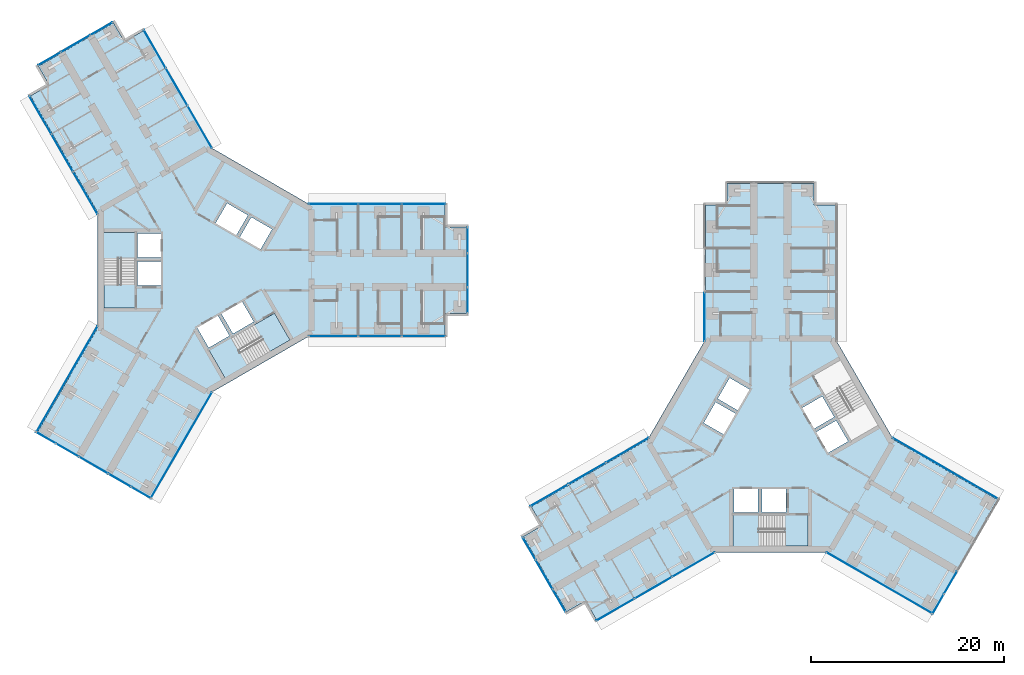
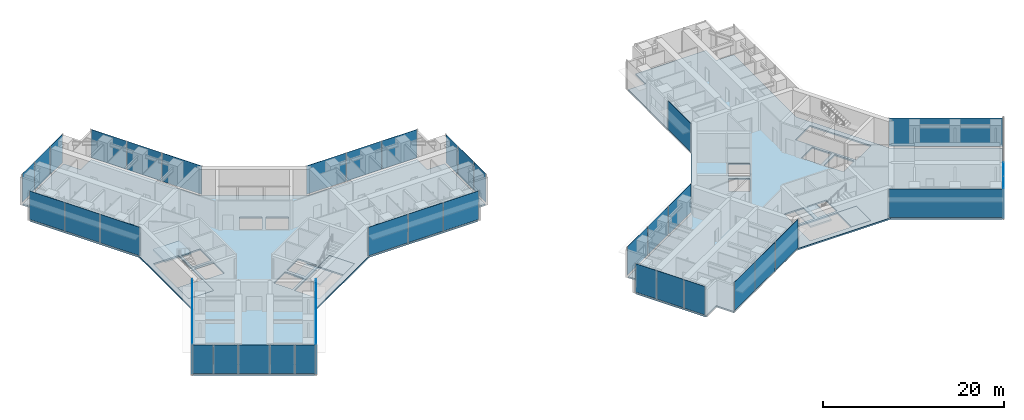
# One storey, part 13 of 23: 39 plates, 8 slabs, 19 elements without a shape of their own.
"""IFC4 building model written with IfcOpenShell, lengths in metres."""

import ifcopenshell
import ifcopenshell.guid

model = None  # the IFC model being written
_history = None  # IfcOwnerHistory: only IFC2X3 demands one
_inside = {}  # id of a spatial element -> (the spatial element, [elements in it])
_under = {}  # id of a project, library or spatial element -> (it, [spatial elements below it])
_declared = {}  # id of a project -> (the project, [libraries it declares])
_typed = {}  # id of a type object -> (the type object, [elements of that type])
_made_of = {}  # id of a material, layer set ... -> (it, [elements and type objects made of it])


def new_model(schema):
    """Start an empty IFC model of exactly this schema.

    Asked for "IFC4X3", IfcOpenShell would pick the latest addendum, in which some entities
    have other attributes; the version numbers below select the first issue.
    IFC2X3 requires an IfcOwnerHistory on every rooted entity: one is made here for all.
    """
    global model, _history
    if schema == "IFC4X3":
        model = ifcopenshell.file(schema_version=(4, 3, 0, 0))
    else:
        model = ifcopenshell.file(schema=schema)
    _inside.clear()
    _under.clear()
    _declared.clear()
    _typed.clear()
    _made_of.clear()
    _history = None
    if model.schema == "IFC2X3":
        org = make("IfcOrganization", Name="unknown")
        user = make(
            "IfcPersonAndOrganization",
            ThePerson=make("IfcPerson", FamilyName="unknown"),
            TheOrganization=org,
        )
        app = make(
            "IfcApplication",
            ApplicationDeveloper=org,
            Version="unknown",
            ApplicationFullName="unknown",
            ApplicationIdentifier="unknown",
        )
        _history = make(
            "IfcOwnerHistory",
            OwningUser=user,
            OwningApplication=app,
            ChangeAction="ADDED",
            CreationDate=0,
        )
    return model


def make(cls, **values):
    """One entity of the class cls with the attributes given. An attribute that is None is left unset."""
    return model.create_entity(
        cls, **{name: value for name, value in values.items() if value is not None}
    )


def rooted(cls, **values):
    """An entity with a GlobalId (a new one), such as an element, a storey or a relation."""
    return make(cls, GlobalId=ifcopenshell.guid.new(), OwnerHistory=_history, **values)


def si_unit(unit_type, name, prefix=None):
    """IfcSIUnit, for example si_unit("LENGTHUNIT", "METRE", prefix="MILLI")."""
    return make("IfcSIUnit", UnitType=unit_type, Prefix=prefix, Name=name)


def assignment(units):
    """IfcUnitAssignment: the units of a project."""
    return None if units is None else make("IfcUnitAssignment", Units=units)


def point(xyz):
    """IfcCartesianPoint."""
    return None if xyz is None else make("IfcCartesianPoint", Coordinates=xyz)


def direction(xyz):
    """IfcDirection."""
    return None if xyz is None else make("IfcDirection", DirectionRatios=xyz)


def frame(location, z_axis=None, x_axis=None):
    """IfcAxis2Placement3D, a coordinate frame: its origin and axes. An axis left out is left unset."""
    return make(
        "IfcAxis2Placement3D",
        Location=point(location),
        Axis=direction(z_axis),
        RefDirection=direction(x_axis),
    )


def frame_2d(location, x_axis=None):
    """IfcAxis2Placement2D, a coordinate frame in the plane: its origin and x axis."""
    return make(
        "IfcAxis2Placement2D", Location=point(location), RefDirection=direction(x_axis)
    )


def origin():
    """The frame at (0, 0, 0) with its axes left unset."""
    return frame((0.0, 0.0, 0.0))


def origin_2d():
    """The frame at (0, 0) in the plane with its x axis left unset."""
    return frame_2d((0.0, 0.0))


def place(relative_to, where):
    """IfcLocalPlacement: puts the frame where relative to a parent placement (None: the world)."""
    return make(
        "IfcLocalPlacement", PlacementRelTo=relative_to, RelativePlacement=where
    )


def context(
    kind, dimensions, precision=None, world=None, true_north=None, identifier=None
):
    """IfcGeometricRepresentationContext, for example the 3D "Model" context."""
    return make(
        "IfcGeometricRepresentationContext",
        ContextIdentifier=identifier,
        ContextType=kind,
        CoordinateSpaceDimension=dimensions,
        Precision=precision,
        WorldCoordinateSystem=world,
        TrueNorth=true_north,
    )


def subcontext(parent, identifier, kind, view, scale=None):
    """IfcGeometricRepresentationSubContext, for example "Body" below "Model"."""
    return make(
        "IfcGeometricRepresentationSubContext",
        ContextIdentifier=identifier,
        ContextType=kind,
        ParentContext=parent,
        TargetScale=scale,
        TargetView=view,
    )


def project(units=None, contexts=None):
    """IfcProject with its units and contexts."""
    return rooted(
        "IfcProject",
        Name="project",
        RepresentationContexts=contexts,
        UnitsInContext=assignment(units),
    )


def spatial(cls, under=None, at=None, **own):
    """A site, building, storey or space (cls), placed at a placement, below another one or the project."""
    s = rooted(cls, ObjectPlacement=at, **own)
    if under is not None:
        _under.setdefault(under.id(), (under, []))[1].append(s)
    return s


def polyline(points):
    """IfcPolyline through the points."""
    return make("IfcPolyline", Points=[point(p) for p in points])


def profile(cls, at=None, kind="AREA", **sizes):
    """A parametric profile (cls). Its sizes go by their IFC names, for example OverallWidth=200.0."""
    return make(cls, ProfileType=kind, Position=at, **sizes)


def rectangle(**sizes):
    """IfcRectangleProfileDef."""
    return profile("IfcRectangleProfileDef", **sizes)


def outline(outer, holes=None, kind="AREA"):
    """IfcArbitraryClosedProfileDef: a profile drawn as a closed curve; with holes, ...WithVoids."""
    if holes is None:
        return make("IfcArbitraryClosedProfileDef", ProfileType=kind, OuterCurve=outer)
    return make(
        "IfcArbitraryProfileDefWithVoids",
        ProfileType=kind,
        OuterCurve=outer,
        InnerCurves=holes,
    )


def extrude(swept, where, along, depth):
    """IfcExtrudedAreaSolid: the profile swept, set in the frame where, extruded along a direction by depth."""
    return make(
        "IfcExtrudedAreaSolid",
        SweptArea=swept,
        Position=where,
        ExtrudedDirection=direction(along),
        Depth=depth,
    )


def shape(context_of_items, identifier, shape_type, items):
    """IfcShapeRepresentation: the items that make up one representation, for example the "Body"."""
    return make(
        "IfcShapeRepresentation",
        ContextOfItems=context_of_items,
        RepresentationIdentifier=identifier,
        RepresentationType=shape_type,
        Items=items,
    )


def material(Name=None, Category=None):
    """IfcMaterial."""
    return make("IfcMaterial", Name=Name, Category=Category)


def layer(
    of_material, thickness, ventilated=None, Name=None, Category=None, Priority=None
):
    """IfcMaterialLayer: one layer of a wall or slab, of a material (None: an air gap)."""
    return make(
        "IfcMaterialLayer",
        Material=of_material,
        LayerThickness=thickness,
        IsVentilated=ventilated,
        Name=Name,
        Category=Category,
        Priority=Priority,
    )


def layer_set(layers, Name=None):
    """IfcMaterialLayerSet."""
    return make("IfcMaterialLayerSet", MaterialLayers=layers, LayerSetName=Name)


def made_of(thing, what):
    """Note that an element or type object is made of a material, layer set ...; save() writes the relation."""
    if what is not None:
        _made_of.setdefault(what.id(), (what, []))[1].append(thing)
    return thing


def type_object(cls, material=None, **own):
    """A type object (cls), such as IfcWallType, which elements share."""
    return made_of(rooted(cls, **own), material)


def element(
    cls,
    number,
    at=None,
    inside=None,
    cuts=None,
    type_object=None,
    material=None,
    context=None,
    identifier="Body",
    shape_type=None,
    held_by="IfcProductDefinitionShape",
    body=None,
    shapes=None,
    **own,
):
    """One element of the class cls, such as IfcWall. Its Tag is "e" and its number.

    at: its placement. inside: the storey or other place that contains it. cuts: it is an
    opening in that element (IfcRelVoidsElement). A single representation is given by context,
    identifier, shape_type and body (its items); several are given by shapes. held_by: the class
    of the entity that holds the representations. save() writes the other relations.
    """
    e = rooted(cls, Tag="e%d" % number, ObjectPlacement=at, **own)
    if body is not None:
        shapes = [shape(context, identifier, shape_type, body)]
    if shapes is not None:
        e.Representation = make(held_by, Representations=shapes)
    if inside is not None:
        _inside.setdefault(inside.id(), (inside, []))[1].append(e)
    if cuts is not None:
        rooted(
            "IfcRelVoidsElement", RelatingBuildingElement=cuts, RelatedOpeningElement=e
        )
    if type_object is not None:
        _typed.setdefault(type_object.id(), (type_object, []))[1].append(e)
    return made_of(e, material)


def aggregate(whole, parts):
    """IfcRelAggregates: a whole, such as a stair, and the parts it consists of."""
    return rooted("IfcRelAggregates", RelatingObject=whole, RelatedObjects=parts)


def save(model, path):
    """Write the relations noted so far, then the file.

    IfcRelAggregates (storeys below a building ...), IfcRelContainedInSpatialStructure (elements
    in a storey), IfcRelDefinesByType, IfcRelAssociatesMaterial and IfcRelDeclares: one each for
    every whole, place, type object, material and project.
    """
    for whole, parts in _under.values():
        aggregate(whole, parts)
    for where, things in _inside.values():
        rooted(
            "IfcRelContainedInSpatialStructure",
            RelatedElements=things,
            RelatingStructure=where,
        )
    for kind, things in _typed.values():
        rooted("IfcRelDefinesByType", RelatedObjects=things, RelatingType=kind)
    for what, things in _made_of.values():
        rooted("IfcRelAssociatesMaterial", RelatedObjects=things, RelatingMaterial=what)
    for by, libraries in _declared.values():
        rooted("IfcRelDeclares", RelatingContext=by, RelatedDefinitions=libraries)
    model.write(path)


model = new_model("IFC4")

# Units and contexts
model_context = context("Model", 3, precision=1e-05, world=origin(), true_north=direction((0.0, 1.0)))
body_context = subcontext(model_context, "Body", "Model", "MODEL_VIEW")
ifc_project = project(units=[si_unit("LENGTHUNIT", "METRE"), si_unit("AREAUNIT", "SQUARE_METRE"), si_unit("VOLUMEUNIT", "CUBIC_METRE"), si_unit("PLANEANGLEUNIT", "RADIAN"), si_unit("MASSUNIT", "GRAM", prefix="KILO")], contexts=[model_context])

# Site, building, storey
site_placement = place(None, origin())
site = spatial("IfcSite", under=ifc_project, at=site_placement, CompositionType="ELEMENT")
building_placement = place(site_placement, origin())
building = spatial("IfcBuilding", under=site, at=building_placement, Name="Upepo Twin Towers", CompositionType="ELEMENT")
storey_placement = place(building_placement, frame((0.0, 0.0, 161.5)))
storey = spatial("IfcBuildingStorey", under=building, at=storey_placement, Name="L39", CompositionType="ELEMENT", Elevation=161.5)

# Curtain wall, plates
ifc_material_1 = material(Name="Aluminium and fritted glass", Category="aluminium")
curtain_wall_type = type_object("IfcCurtainWallType", Name="Tower curtain wall TW2, fritted glass", PredefinedType="NOTDEFINED", material=ifc_material_1)
curtain_wall_1_placement = place(storey_placement, origin())
curtain_wall_1 = element("IfcCurtainWall", 1, at=curtain_wall_1_placement, inside=storey, type_object=curtain_wall_type, Name="T1 L39 wing A flank L curtain wall", PredefinedType="NOTDEFINED")
ifc_material_2 = material(Name="Ceramic-fritted laminated glass", Category="glass")
ifc_layer_1 = layer(ifc_material_2, 0.031982421875)
ifc_layer_set_1 = layer_set([ifc_layer_1], Name="Fritted glass panel, 45 per cent dot frit, 32 mm double glazed")
plate_type_1 = type_object("IfcPlateType", Name="Fritted glass panel, 45 per cent dot frit, 32 mm double glazed", PredefinedType="CURTAIN_PANEL", material=ifc_layer_set_1)
plate_1_placement = place(storey_placement, frame((13.184814453125, 6.85009765625, 0.14990234375), z_axis=(0.0, 0.0, 1.0), x_axis=(1.0, 0.0, 0.0)))
plate_1 = element("IfcPlate", 2, at=plate_1_placement, type_object=plate_type_1, Name="T1 L39 wing A flank L curtain wall panel 1", PredefinedType="CURTAIN_PANEL", context=body_context, shape_type="SweptSolid", body=[
    extrude(rectangle(XDim=5.0654296875, YDim=0.031982421875, at=origin_2d()), origin(), (0.0, 0.0, 1.0), 3.85009765625),
])
plate_2_placement = place(storey_placement, frame((18.0, 6.85009765625, 0.14990234375), z_axis=(0.0, 0.0, 1.0), x_axis=(1.0, 0.0, 0.0)))
plate_2 = element("IfcPlate", 3, at=plate_2_placement, type_object=plate_type_1, Name="T1 L39 wing A flank L curtain wall panel 2", PredefinedType="CURTAIN_PANEL", context=body_context, shape_type="SweptSolid", body=[
    extrude(rectangle(XDim=4.43505859375, YDim=0.031982421875, at=origin_2d()), origin(), (0.0, 0.0, 1.0), 3.85009765625),
])
plate_3_placement = place(storey_placement, frame((22.53369140625, 6.85009765625, 0.14990234375), z_axis=(0.0, 0.0, 1.0), x_axis=(1.0, 0.0, 0.0)))
plate_3 = element("IfcPlate", 4, at=plate_3_placement, type_object=plate_type_1, Name="T1 L39 wing A flank L curtain wall panel 3", PredefinedType="CURTAIN_PANEL", context=body_context, shape_type="SweptSolid", body=[
    extrude(rectangle(XDim=4.50244140625, YDim=0.031982421875, at=origin_2d()), origin(), (0.0, 0.0, 1.0), 3.85009765625),
])
aggregate(curtain_wall_1, [plate_1, plate_2, plate_3])

curtain_wall_2_placement = place(storey_placement, origin())
curtain_wall_2 = element("IfcCurtainWall", 5, at=curtain_wall_2_placement, inside=storey, type_object=curtain_wall_type, Name="T1 L39 wing A flank R curtain wall", PredefinedType="NOTDEFINED")
plate_4_placement = place(storey_placement, frame((22.53369140625, -6.85009765625, 0.14990234375), z_axis=(0.0, 0.0, 1.0), x_axis=(-1.0, 0.0, 0.0)))
plate_4 = element("IfcPlate", 6, at=plate_4_placement, type_object=plate_type_1, Name="T1 L39 wing A flank R curtain wall panel 1", PredefinedType="CURTAIN_PANEL", context=body_context, shape_type="SweptSolid", body=[
    extrude(rectangle(XDim=4.50244140625, YDim=0.031982421875, at=origin_2d()), origin(), (0.0, 0.0, 1.0), 3.85009765625),
])
plate_5_placement = place(storey_placement, frame((18.0, -6.85009765625, 0.14990234375), z_axis=(0.0, 0.0, 1.0), x_axis=(-1.0, 0.0, 0.0)))
plate_5 = element("IfcPlate", 7, at=plate_5_placement, type_object=plate_type_1, Name="T1 L39 wing A flank R curtain wall panel 2", PredefinedType="CURTAIN_PANEL", context=body_context, shape_type="SweptSolid", body=[
    extrude(rectangle(XDim=4.43505859375, YDim=0.031982421875, at=origin_2d()), origin(), (0.0, 0.0, 1.0), 3.85009765625),
])
plate_6_placement = place(storey_placement, frame((13.184814453125, -6.85009765625, 0.14990234375), z_axis=(0.0, 0.0, 1.0), x_axis=(-1.0, 0.0, 0.0)))
plate_6 = element("IfcPlate", 8, at=plate_6_placement, type_object=plate_type_1, Name="T1 L39 wing A flank R curtain wall panel 3", PredefinedType="CURTAIN_PANEL", context=body_context, shape_type="SweptSolid", body=[
    extrude(rectangle(XDim=5.0654296875, YDim=0.031982421875, at=origin_2d()), origin(), (0.0, 0.0, 1.0), 3.85009765625),
])
aggregate(curtain_wall_2, [plate_4, plate_5, plate_6])

# Curtain wall, plate
curtain_wall_3_placement = place(storey_placement, origin())
curtain_wall_3 = element("IfcCurtainWall", 9, at=curtain_wall_3_placement, inside=storey, type_object=curtain_wall_type, Name="T1 L39 wing A nose curtain wall", PredefinedType="NOTDEFINED")
plate_7_placement = place(storey_placement, frame((27.10009765625, 0.0, 0.14990234375), z_axis=(0.0, 0.0, 1.0), x_axis=(0.0, 1.0, 0.0)))
plate_7 = element("IfcPlate", 10, at=plate_7_placement, type_object=plate_type_1, Name="T1 L39 wing A nose curtain wall panel 2", PredefinedType="CURTAIN_PANEL", context=body_context, shape_type="SweptSolid", body=[
    extrude(rectangle(XDim=3.43505859375, YDim=0.031982421875, at=origin_2d()), origin(), (0.0, 0.0, 1.0), 3.85009765625),
])

# Curtain wall, plates
curtain_wall_4_placement = place(storey_placement, origin())
curtain_wall_4 = element("IfcCurtainWall", 11, at=curtain_wall_4_placement, inside=storey, type_object=curtain_wall_type, Name="T1 L39 wing B flank L curtain wall", PredefinedType="NOTDEFINED")
plate_8_placement = place(storey_placement, frame((-12.524658203125, 7.993408203125, 0.14990234375), z_axis=(0.0, 0.0, 1.0), x_axis=(-0.500000010308, 0.866025397833, 0.0)))
plate_8 = element("IfcPlate", 12, at=plate_8_placement, type_object=plate_type_1, Name="T1 L39 wing B flank L curtain wall panel 1", PredefinedType="CURTAIN_PANEL", context=body_context, shape_type="SweptSolid", body=[
    extrude(rectangle(XDim=5.0654296875, YDim=0.031982421875, at=origin_2d()), origin(), (0.0, 0.0, 1.0), 3.85009765625),
])
plate_9_placement = place(storey_placement, frame((-14.932373046875, 12.16357421875, 0.14990234375), z_axis=(0.0, 0.0, 1.0), x_axis=(-0.500000010308, 0.866025397833, 0.0)))
plate_9 = element("IfcPlate", 13, at=plate_9_placement, type_object=plate_type_1, Name="T1 L39 wing B flank L curtain wall panel 2", PredefinedType="CURTAIN_PANEL", context=body_context, shape_type="SweptSolid", body=[
    extrude(rectangle(XDim=4.43505859375, YDim=0.031982421875, at=origin_2d()), origin(), (0.0, 0.0, 1.0), 3.85009765625),
])
plate_10_placement = place(storey_placement, frame((-17.19921875, 16.08984375, 0.14990234375), z_axis=(0.0, 0.0, 1.0), x_axis=(-0.500000010308, 0.866025397833, 0.0)))
plate_10 = element("IfcPlate", 14, at=plate_10_placement, type_object=plate_type_1, Name="T1 L39 wing B flank L curtain wall panel 3", PredefinedType="CURTAIN_PANEL", context=body_context, shape_type="SweptSolid", body=[
    extrude(rectangle(XDim=4.50244140625, YDim=0.031982421875, at=origin_2d()), origin(), (0.0, 0.0, 1.0), 3.85009765625),
])
aggregate(curtain_wall_4, [plate_8, plate_9, plate_10])

curtain_wall_5_placement = place(storey_placement, origin())
curtain_wall_5 = element("IfcCurtainWall", 15, at=curtain_wall_5_placement, inside=storey, type_object=curtain_wall_type, Name="T1 L39 wing B flank R curtain wall", PredefinedType="NOTDEFINED")
plate_11_placement = place(storey_placement, frame((-5.334716796875, 22.939697265625, 0.14990234375), z_axis=(0.0, 0.0, 1.0), x_axis=(0.500000010308, -0.866025397833, 0.0)))
plate_11 = element("IfcPlate", 16, at=plate_11_placement, type_object=plate_type_1, Name="T1 L39 wing B flank R curtain wall panel 1", PredefinedType="CURTAIN_PANEL", context=body_context, shape_type="SweptSolid", body=[
    extrude(rectangle(XDim=4.50244140625, YDim=0.031982421875, at=origin_2d()), origin(), (0.0, 0.0, 1.0), 3.85009765625),
])
plate_12_placement = place(storey_placement, frame((-3.067626953125, 19.013427734375, 0.14990234375), z_axis=(0.0, 0.0, 1.0), x_axis=(0.500000010308, -0.866025397833, 0.0)))
plate_12 = element("IfcPlate", 17, at=plate_12_placement, type_object=plate_type_1, Name="T1 L39 wing B flank R curtain wall panel 2", PredefinedType="CURTAIN_PANEL", context=body_context, shape_type="SweptSolid", body=[
    extrude(rectangle(XDim=4.43505859375, YDim=0.031982421875, at=origin_2d()), origin(), (0.0, 0.0, 1.0), 3.85009765625),
])
plate_13_placement = place(storey_placement, frame((-0.66015625, 14.84326171875, 0.14990234375), z_axis=(0.0, 0.0, 1.0), x_axis=(0.500000010308, -0.866025397833, 0.0)))
plate_13 = element("IfcPlate", 18, at=plate_13_placement, type_object=plate_type_1, Name="T1 L39 wing B flank R curtain wall panel 3", PredefinedType="CURTAIN_PANEL", context=body_context, shape_type="SweptSolid", body=[
    extrude(rectangle(XDim=5.0654296875, YDim=0.031982421875, at=origin_2d()), origin(), (0.0, 0.0, 1.0), 3.85009765625),
])
aggregate(curtain_wall_5, [plate_11, plate_12, plate_13])

# Curtain wall, plate
curtain_wall_6_placement = place(storey_placement, origin())
curtain_wall_6 = element("IfcCurtainWall", 19, at=curtain_wall_6_placement, inside=storey, type_object=curtain_wall_type, Name="T1 L39 wing B nose curtain wall", PredefinedType="NOTDEFINED")
plate_14_placement = place(storey_placement, frame((-13.550048828125, 23.46923828125, 0.14990234375), z_axis=(0.0, 0.0, 1.0), x_axis=(-0.866025386174, -0.500000030502, 0.0)))
plate_14 = element("IfcPlate", 20, at=plate_14_placement, type_object=plate_type_1, Name="T1 L39 wing B nose curtain wall panel 2", PredefinedType="CURTAIN_PANEL", context=body_context, shape_type="SweptSolid", body=[
    extrude(rectangle(XDim=3.43505859375, YDim=0.031982421875, at=origin_2d()), origin(), (0.0, 0.0, 1.0), 3.85009765625),
])

curtain_wall_7_placement = place(storey_placement, origin())
curtain_wall_7 = element("IfcCurtainWall", 21, at=curtain_wall_7_placement, inside=storey, type_object=curtain_wall_type, Name="T1 L39 wing C flank L curtain wall", PredefinedType="NOTDEFINED")
plate_15_placement = place(storey_placement, frame((-2.552001953125, -18.1201171875, 0.14990234375), z_axis=(0.0, 0.0, 1.0), x_axis=(-0.50000000792, -0.866025399212, 0.0)))
plate_15 = element("IfcPlate", 22, at=plate_15_placement, type_object=plate_type_1, Name="T1 L39 wing C flank L curtain wall panel 1", PredefinedType="CURTAIN_PANEL", context=body_context, shape_type="SweptSolid", body=[
    extrude(rectangle(XDim=12.6328125, YDim=0.031982421875, at=origin_2d()), origin(), (0.0, 0.0, 1.0), 3.85009765625),
])
aggregate(curtain_wall_7, [plate_15])

curtain_wall_8_placement = place(storey_placement, origin())
curtain_wall_8 = element("IfcCurtainWall", 23, at=curtain_wall_8_placement, inside=storey, type_object=curtain_wall_type, Name="T1 L39 wing C flank R curtain wall", PredefinedType="NOTDEFINED")
plate_16_placement = place(storey_placement, frame((-14.41650390625, -11.270263671875, 0.14990234375), z_axis=(0.0, 0.0, 1.0), x_axis=(0.50000000792, 0.866025399212, 0.0)))
plate_16 = element("IfcPlate", 24, at=plate_16_placement, type_object=plate_type_1, Name="T1 L39 wing C flank R curtain wall panel 1", PredefinedType="CURTAIN_PANEL", context=body_context, shape_type="SweptSolid", body=[
    extrude(rectangle(XDim=12.6328125, YDim=0.031982421875, at=origin_2d()), origin(), (0.0, 0.0, 1.0), 3.85009765625),
])
aggregate(curtain_wall_8, [plate_16])

# Curtain wall, plates
curtain_wall_9_placement = place(storey_placement, origin())
curtain_wall_9 = element("IfcCurtainWall", 25, at=curtain_wall_9_placement, inside=storey, type_object=curtain_wall_type, Name="T1 L39 wing C nose curtain wall", PredefinedType="NOTDEFINED")
plate_17_placement = place(storey_placement, frame((-14.38134765625, -18.6591796875, 0.14990234375), z_axis=(0.0, 0.0, 1.0), x_axis=(0.866025419745, -0.499999972355, 0.0)))
plate_17 = element("IfcPlate", 26, at=plate_17_placement, type_object=plate_type_1, Name="T1 L39 wing C nose curtain wall panel 2", PredefinedType="CURTAIN_PANEL", context=body_context, shape_type="SweptSolid", body=[
    extrude(rectangle(XDim=2.68505859375, YDim=0.031982421875, at=origin_2d()), origin(), (0.0, 0.0, 1.0), 3.85009765625),
])
plate_18_placement = place(storey_placement, frame((-11.675048828125, -20.2216796875, 0.14990234375), z_axis=(0.0, 0.0, 1.0), x_axis=(0.866025419745, -0.499999972355, 0.0)))
plate_18 = element("IfcPlate", 27, at=plate_18_placement, type_object=plate_type_1, Name="T1 L39 wing C nose curtain wall panel 3", PredefinedType="CURTAIN_PANEL", context=body_context, shape_type="SweptSolid", body=[
    extrude(rectangle(XDim=3.43505859375, YDim=0.031982421875, at=origin_2d()), origin(), (0.0, 0.0, 1.0), 3.85009765625),
])
plate_19_placement = place(storey_placement, frame((-8.96875, -21.7841796875, 0.14990234375), z_axis=(0.0, 0.0, 1.0), x_axis=(0.866025419745, -0.499999972355, 0.0)))
plate_19 = element("IfcPlate", 28, at=plate_19_placement, type_object=plate_type_1, Name="T1 L39 wing C nose curtain wall panel 4", PredefinedType="CURTAIN_PANEL", context=body_context, shape_type="SweptSolid", body=[
    extrude(rectangle(XDim=2.68505859375, YDim=0.031982421875, at=origin_2d()), origin(), (0.0, 0.0, 1.0), 3.85009765625),
])

# Curtain wall, plate
curtain_wall_10_placement = place(storey_placement, origin())
curtain_wall_10 = element("IfcCurtainWall", 29, at=curtain_wall_10_placement, inside=storey, type_object=curtain_wall_type, Name="T2 L39 wing A flank L curtain wall", PredefinedType="NOTDEFINED")
plate_20_placement = place(storey_placement, frame((51.64990234375, -4.83154296875, 0.14990234375), z_axis=(0.0, 0.0, 1.0), x_axis=(0.0, 1.0, 0.0)))
plate_20 = element("IfcPlate", 30, at=plate_20_placement, type_object=plate_type_1, Name="T2 L39 wing A flank L curtain wall panel 1", PredefinedType="CURTAIN_PANEL", context=body_context, shape_type="SweptSolid", body=[
    extrude(rectangle(XDim=5.032958984375, YDim=0.031982421875, at=origin_2d()), origin(), (0.0, 0.0, 1.0), 3.85009765625),
])
aggregate(curtain_wall_10, [plate_20])

# Curtain wall, plates
curtain_wall_11_placement = place(storey_placement, origin())
curtain_wall_11 = element("IfcCurtainWall", 31, at=curtain_wall_11_placement, inside=storey, type_object=curtain_wall_type, Name="T2 L39 wing B flank L curtain wall", PredefinedType="NOTDEFINED")
plate_21_placement = place(storey_placement, frame((50.506591796875, -30.524658203125, 0.14990234375), z_axis=(0.0, 0.0, 1.0), x_axis=(-0.866025397833, -0.500000010308, 0.0)))
plate_21 = element("IfcPlate", 32, at=plate_21_placement, type_object=plate_type_1, Name="T2 L39 wing B flank L curtain wall panel 1", PredefinedType="CURTAIN_PANEL", context=body_context, shape_type="SweptSolid", body=[
    extrude(rectangle(XDim=5.0654296875, YDim=0.031982421875, at=origin_2d()), origin(), (0.0, 0.0, 1.0), 3.85009765625),
])
plate_22_placement = place(storey_placement, frame((46.33642578125, -32.932373046875, 0.14990234375), z_axis=(0.0, 0.0, 1.0), x_axis=(-0.866025397833, -0.500000010308, 0.0)))
plate_22 = element("IfcPlate", 33, at=plate_22_placement, type_object=plate_type_1, Name="T2 L39 wing B flank L curtain wall panel 2", PredefinedType="CURTAIN_PANEL", context=body_context, shape_type="SweptSolid", body=[
    extrude(rectangle(XDim=4.43505859375, YDim=0.031982421875, at=origin_2d()), origin(), (0.0, 0.0, 1.0), 3.85009765625),
])
plate_23_placement = place(storey_placement, frame((42.41015625, -35.19921875, 0.14990234375), z_axis=(0.0, 0.0, 1.0), x_axis=(-0.866025397833, -0.500000010308, 0.0)))
plate_23 = element("IfcPlate", 34, at=plate_23_placement, type_object=plate_type_1, Name="T2 L39 wing B flank L curtain wall panel 3", PredefinedType="CURTAIN_PANEL", context=body_context, shape_type="SweptSolid", body=[
    extrude(rectangle(XDim=4.50244140625, YDim=0.031982421875, at=origin_2d()), origin(), (0.0, 0.0, 1.0), 3.85009765625),
])
aggregate(curtain_wall_11, [plate_21, plate_22, plate_23])

curtain_wall_12_placement = place(storey_placement, origin())
curtain_wall_12 = element("IfcCurtainWall", 35, at=curtain_wall_12_placement, inside=storey, type_object=curtain_wall_type, Name="T2 L39 wing B flank R curtain wall", PredefinedType="NOTDEFINED")
plate_24_placement = place(storey_placement, frame((35.560302734375, -23.334716796875, 0.14990234375), z_axis=(0.0, 0.0, 1.0), x_axis=(0.866025397833, 0.500000010308, 0.0)))
plate_24 = element("IfcPlate", 36, at=plate_24_placement, type_object=plate_type_1, Name="T2 L39 wing B flank R curtain wall panel 1", PredefinedType="CURTAIN_PANEL", context=body_context, shape_type="SweptSolid", body=[
    extrude(rectangle(XDim=4.50244140625, YDim=0.031982421875, at=origin_2d()), origin(), (0.0, 0.0, 1.0), 3.85009765625),
])
plate_25_placement = place(storey_placement, frame((39.486572265625, -21.067626953125, 0.14990234375), z_axis=(0.0, 0.0, 1.0), x_axis=(0.866025397833, 0.500000010308, 0.0)))
plate_25 = element("IfcPlate", 37, at=plate_25_placement, type_object=plate_type_1, Name="T2 L39 wing B flank R curtain wall panel 2", PredefinedType="CURTAIN_PANEL", context=body_context, shape_type="SweptSolid", body=[
    extrude(rectangle(XDim=4.43505859375, YDim=0.031982421875, at=origin_2d()), origin(), (0.0, 0.0, 1.0), 3.85009765625),
])
plate_26_placement = place(storey_placement, frame((43.65673828125, -18.66015625, 0.14990234375), z_axis=(0.0, 0.0, 1.0), x_axis=(0.866025397833, 0.500000010308, 0.0)))
plate_26 = element("IfcPlate", 38, at=plate_26_placement, type_object=plate_type_1, Name="T2 L39 wing B flank R curtain wall panel 3", PredefinedType="CURTAIN_PANEL", context=body_context, shape_type="SweptSolid", body=[
    extrude(rectangle(XDim=5.0654296875, YDim=0.031982421875, at=origin_2d()), origin(), (0.0, 0.0, 1.0), 3.85009765625),
])
aggregate(curtain_wall_12, [plate_24, plate_25, plate_26])

# Curtain wall, plate
curtain_wall_13_placement = place(storey_placement, origin())
curtain_wall_13 = element("IfcCurtainWall", 39, at=curtain_wall_13_placement, inside=storey, type_object=curtain_wall_type, Name="T2 L39 wing B nose curtain wall", PredefinedType="NOTDEFINED")
plate_27_placement = place(storey_placement, frame((35.03076171875, -31.550048828125, 0.14990234375), z_axis=(0.0, 0.0, 1.0), x_axis=(0.500000030502, -0.866025386174, 0.0)))
plate_27 = element("IfcPlate", 40, at=plate_27_placement, type_object=plate_type_1, Name="T2 L39 wing B nose curtain wall panel 2", PredefinedType="CURTAIN_PANEL", context=body_context, shape_type="SweptSolid", body=[
    extrude(rectangle(XDim=3.43505859375, YDim=0.031982421875, at=origin_2d()), origin(), (0.0, 0.0, 1.0), 3.85009765625),
])

curtain_wall_14_placement = place(storey_placement, origin())
curtain_wall_14 = element("IfcCurtainWall", 41, at=curtain_wall_14_placement, inside=storey, type_object=curtain_wall_type, Name="T2 L39 wing C flank L curtain wall", PredefinedType="NOTDEFINED")
plate_28_placement = place(storey_placement, frame((76.6201171875, -20.552001953125, 0.14990234375), z_axis=(0.0, 0.0, 1.0), x_axis=(0.866025399212, -0.50000000792, 0.0)))
plate_28 = element("IfcPlate", 42, at=plate_28_placement, type_object=plate_type_1, Name="T2 L39 wing C flank L curtain wall panel 1", PredefinedType="CURTAIN_PANEL", context=body_context, shape_type="SweptSolid", body=[
    extrude(rectangle(XDim=12.6328125, YDim=0.031982421875, at=origin_2d()), origin(), (0.0, 0.0, 1.0), 3.85009765625),
])
aggregate(curtain_wall_14, [plate_28])

curtain_wall_15_placement = place(storey_placement, origin())
curtain_wall_15 = element("IfcCurtainWall", 43, at=curtain_wall_15_placement, inside=storey, type_object=curtain_wall_type, Name="T2 L39 wing C flank R curtain wall", PredefinedType="NOTDEFINED")
plate_29_placement = place(storey_placement, frame((69.770263671875, -32.41650390625, 0.14990234375), z_axis=(0.0, 0.0, 1.0), x_axis=(-0.866025399212, 0.50000000792, 0.0)))
plate_29 = element("IfcPlate", 44, at=plate_29_placement, type_object=plate_type_1, Name="T2 L39 wing C flank R curtain wall panel 1", PredefinedType="CURTAIN_PANEL", context=body_context, shape_type="SweptSolid", body=[
    extrude(rectangle(XDim=12.6328125, YDim=0.031982421875, at=origin_2d()), origin(), (0.0, 0.0, 1.0), 3.85009765625),
])
aggregate(curtain_wall_15, [plate_29])

curtain_wall_16_placement = place(storey_placement, origin())
curtain_wall_16 = element("IfcCurtainWall", 45, at=curtain_wall_16_placement, inside=storey, type_object=curtain_wall_type, Name="T2 L39 wing C nose curtain wall", PredefinedType="NOTDEFINED")
plate_30_placement = place(storey_placement, frame((77.1591796875, -32.38134765625, 0.14990234375), z_axis=(0.0, 0.0, 1.0), x_axis=(0.499999972355, 0.866025419745, 0.0)))
plate_30 = element("IfcPlate", 46, at=plate_30_placement, type_object=plate_type_1, Name="T2 L39 wing C nose curtain wall panel 2", PredefinedType="CURTAIN_PANEL", context=body_context, shape_type="SweptSolid", body=[
    extrude(rectangle(XDim=2.68505859375, YDim=0.031982421875, at=origin_2d()), origin(), (0.0, 0.0, 1.0), 3.85009765625),
])

# Plate
ifc_material_3 = material(Name="Clear laminated glass in opening sash", Category="glass")
ifc_layer_2 = layer(ifc_material_3, 0.031982421875)
ifc_layer_set_2 = layer_set([ifc_layer_2], Name="Operable glass panel, 32 mm double glazed")
plate_type_2 = type_object("IfcPlateType", Name="Operable glass panel, 32 mm double glazed", PredefinedType="CURTAIN_PANEL", material=ifc_layer_set_2)
plate_31_placement = place(storey_placement, frame((27.10009765625, -3.108642578125, 0.14990234375), z_axis=(0.0, 0.0, 1.0), x_axis=(0.0, 1.0, 0.0)))
plate_31 = element("IfcPlate", 47, at=plate_31_placement, type_object=plate_type_2, Name="T1 L39 wing A nose curtain wall panel 1", PredefinedType="CURTAIN_PANEL", context=body_context, shape_type="SweptSolid", body=[
    extrude(rectangle(XDim=2.652587890625, YDim=0.031982421875, at=origin_2d()), origin(), (0.0, 0.0, 1.0), 3.85009765625),
])

plate_32_placement = place(storey_placement, frame((27.10009765625, 3.108642578125, 0.14990234375), z_axis=(0.0, 0.0, 1.0), x_axis=(0.0, 1.0, 0.0)))
plate_32 = element("IfcPlate", 48, at=plate_32_placement, type_object=plate_type_2, Name="T1 L39 wing A nose curtain wall panel 3", PredefinedType="CURTAIN_PANEL", context=body_context, shape_type="SweptSolid", body=[
    extrude(rectangle(XDim=2.652587890625, YDim=0.031982421875, at=origin_2d()), origin(), (0.0, 0.0, 1.0), 3.85009765625),
])

aggregate(curtain_wall_3, [plate_31, plate_7, plate_32])

plate_33_placement = place(storey_placement, frame((-10.857666015625, 25.023681640625, 0.14990234375), z_axis=(0.0, 0.0, 1.0), x_axis=(-0.866025386174, -0.500000030502, 0.0)))
plate_33 = element("IfcPlate", 49, at=plate_33_placement, type_object=plate_type_2, Name="T1 L39 wing B nose curtain wall panel 1", PredefinedType="CURTAIN_PANEL", context=body_context, shape_type="SweptSolid", body=[
    extrude(rectangle(XDim=2.652587890625, YDim=0.031982421875, at=origin_2d()), origin(), (0.0, 0.0, 1.0), 3.85009765625),
])

plate_34_placement = place(storey_placement, frame((-16.2421875, 21.914794921875, 0.14990234375), z_axis=(0.0, 0.0, 1.0), x_axis=(-0.866025386174, -0.500000030502, 0.0)))
plate_34 = element("IfcPlate", 50, at=plate_34_placement, type_object=plate_type_2, Name="T1 L39 wing B nose curtain wall panel 3", PredefinedType="CURTAIN_PANEL", context=body_context, shape_type="SweptSolid", body=[
    extrude(rectangle(XDim=2.652587890625, YDim=0.031982421875, at=origin_2d()), origin(), (0.0, 0.0, 1.0), 3.85009765625),
])

aggregate(curtain_wall_6, [plate_33, plate_14, plate_34])

plate_35_placement = place(storey_placement, frame((-16.618896484375, -17.367431640625, 0.14990234375), z_axis=(0.0, 0.0, 1.0), x_axis=(0.866025419745, -0.499999972355, 0.0)))
plate_35 = element("IfcPlate", 51, at=plate_35_placement, type_object=plate_type_2, Name="T1 L39 wing C nose curtain wall panel 1", PredefinedType="CURTAIN_PANEL", context=body_context, shape_type="SweptSolid", body=[
    extrude(rectangle(XDim=2.3525390625, YDim=0.031982421875, at=origin_2d()), origin(), (0.0, 0.0, 1.0), 3.85009765625),
])

plate_36_placement = place(storey_placement, frame((-6.73095703125, -23.076171875, 0.14990234375), z_axis=(0.0, 0.0, 1.0), x_axis=(0.866025419745, -0.499999972355, 0.0)))
plate_36 = element("IfcPlate", 52, at=plate_36_placement, type_object=plate_type_2, Name="T1 L39 wing C nose curtain wall panel 5", PredefinedType="CURTAIN_PANEL", context=body_context, shape_type="SweptSolid", body=[
    extrude(rectangle(XDim=2.3525390625, YDim=0.031982421875, at=origin_2d()), origin(), (0.0, 0.0, 1.0), 3.85009765625),
])

aggregate(curtain_wall_9, [plate_35, plate_17, plate_18, plate_19, plate_36])

plate_37_placement = place(storey_placement, frame((33.476318359375, -28.857666015625, 0.14990234375), z_axis=(0.0, 0.0, 1.0), x_axis=(0.500000030502, -0.866025386174, 0.0)))
plate_37 = element("IfcPlate", 53, at=plate_37_placement, type_object=plate_type_2, Name="T2 L39 wing B nose curtain wall panel 1", PredefinedType="CURTAIN_PANEL", context=body_context, shape_type="SweptSolid", body=[
    extrude(rectangle(XDim=2.652587890625, YDim=0.031982421875, at=origin_2d()), origin(), (0.0, 0.0, 1.0), 3.85009765625),
])

plate_38_placement = place(storey_placement, frame((36.585205078125, -34.2421875, 0.14990234375), z_axis=(0.0, 0.0, 1.0), x_axis=(0.500000030502, -0.866025386174, 0.0)))
plate_38 = element("IfcPlate", 54, at=plate_38_placement, type_object=plate_type_2, Name="T2 L39 wing B nose curtain wall panel 3", PredefinedType="CURTAIN_PANEL", context=body_context, shape_type="SweptSolid", body=[
    extrude(rectangle(XDim=2.652587890625, YDim=0.031982421875, at=origin_2d()), origin(), (0.0, 0.0, 1.0), 3.85009765625),
])

aggregate(curtain_wall_13, [plate_37, plate_27, plate_38])

plate_39_placement = place(storey_placement, frame((75.867431640625, -34.618896484375, 0.14990234375), z_axis=(0.0, 0.0, 1.0), x_axis=(0.499999972355, 0.866025419745, 0.0)))
plate_39 = element("IfcPlate", 55, at=plate_39_placement, type_object=plate_type_2, Name="T2 L39 wing C nose curtain wall panel 1", PredefinedType="CURTAIN_PANEL", context=body_context, shape_type="SweptSolid", body=[
    extrude(rectangle(XDim=2.3525390625, YDim=0.031982421875, at=origin_2d()), origin(), (0.0, 0.0, 1.0), 3.85009765625),
])

aggregate(curtain_wall_16, [plate_39, plate_30])

# Stair, slabs
ifc_material_4 = material(Name="Concrete C40/50", Category="concrete")
stair_type = type_object("IfcStairType", Name="Core stair, two flights", PredefinedType="HALF_TURN_STAIR", material=ifc_material_4)
stair_1_placement = place(storey_placement, origin())
stair_1 = element("IfcStair", 56, at=stair_1_placement, inside=storey, type_object=stair_type, Name="T1 stair S1 L39", PredefinedType="HALF_TURN_STAIR")
ifc_material_5 = material(Name="Concrete C40/50", Category="concrete")
ifc_layer_3 = layer(ifc_material_5, 0.199951171875)
ifc_layer_set_3 = layer_set([ifc_layer_3], Name="Concrete C40/50")
slab_type_1 = type_object("IfcSlabType", Name="Stair landing 200 RC", PredefinedType="LANDING", material=ifc_layer_set_3)
slab_1_placement = place(storey_placement, frame((0.0, 0.0, -0.199951171875)))
slab_1 = element("IfcSlab", 57, at=slab_1_placement, type_object=slab_type_1, Name="Stair S1 landing 1", PredefinedType="LANDING", context=body_context, shape_type="SweptSolid", body=[
    extrude(outline(polyline([(-7.39990234375, -1.419921875), (-10.6083984375, -1.419921875), (-10.6083984375, -3.89990234375), (-7.39990234375, -3.89990234375), (-7.39990234375, -1.419921875)])), origin(), (0.0, 0.0, 1.0), 0.199951171875),
])
slab_2_placement = place(storey_placement, frame((0.0, 0.0, 1.800048828125)))
slab_2 = element("IfcSlab", 58, at=slab_2_placement, type_object=slab_type_1, Name="Stair S1 landing 2", PredefinedType="LANDING", context=body_context, shape_type="SweptSolid", body=[
    extrude(outline(polyline([(-7.300048828125, 3.89990234375), (-10.708251953125, 3.89990234375), (-10.708251953125, 1.179931640625), (-7.300048828125, 1.179931640625), (-7.300048828125, 3.89990234375)])), origin(), (0.0, 0.0, 1.0), 0.199951171875),
])
aggregate(stair_1, [slab_1, slab_2])

stair_2_placement = place(storey_placement, origin())
stair_2 = element("IfcStair", 59, at=stair_2_placement, inside=storey, type_object=stair_type, Name="T1 stair S2 L39", PredefinedType="HALF_TURN_STAIR")
slab_3_placement = place(storey_placement, frame((0.0, 0.0, -0.199951171875)))
slab_3 = element("IfcSlab", 60, at=slab_3_placement, type_object=slab_type_1, Name="Stair S2 landing 1", PredefinedType="LANDING", context=body_context, shape_type="SweptSolid", body=[
    extrude(outline(polyline([(4.9296875, -5.698486328125), (6.533935546875, -8.47705078125), (8.681640625, -7.237060546875), (7.077392578125, -4.45849609375), (4.9296875, -5.698486328125)])), origin(), (0.0, 0.0, 1.0), 0.199951171875),
])
slab_4_placement = place(storey_placement, frame((0.0, 0.0, 1.800048828125)))
slab_4 = element("IfcSlab", 61, at=slab_4_placement, type_object=slab_type_1, Name="Stair S2 landing 2", PredefinedType="LANDING", context=body_context, shape_type="SweptSolid", body=[
    extrude(outline(polyline([(0.2724609375, -8.27197265625), (1.9765625, -11.2236328125), (4.332275390625, -9.86376953125), (2.628173828125, -6.911865234375), (0.2724609375, -8.27197265625)])), origin(), (0.0, 0.0, 1.0), 0.199951171875),
])
aggregate(stair_2, [slab_3, slab_4])

stair_3_placement = place(storey_placement, origin())
stair_3 = element("IfcStair", 62, at=stair_3_placement, inside=storey, type_object=stair_type, Name="T2 stair S1 L39", PredefinedType="HALF_TURN_STAIR")
slab_5_placement = place(storey_placement, frame((0.0, 0.0, -0.199951171875)))
slab_5 = element("IfcSlab", 63, at=slab_5_placement, type_object=slab_type_1, Name="Stair S1 landing 1", PredefinedType="LANDING", context=body_context, shape_type="SweptSolid", body=[
    extrude(outline(polyline([(59.919921875, -25.39990234375), (59.919921875, -28.6083984375), (62.39990234375, -28.6083984375), (62.39990234375, -25.39990234375), (59.919921875, -25.39990234375)])), origin(), (0.0, 0.0, 1.0), 0.199951171875),
])
slab_6_placement = place(storey_placement, frame((0.0, 0.0, 1.800048828125)))
slab_6 = element("IfcSlab", 64, at=slab_6_placement, type_object=slab_type_1, Name="Stair S1 landing 2", PredefinedType="LANDING", context=body_context, shape_type="SweptSolid", body=[
    extrude(outline(polyline([(54.60009765625, -25.300048828125), (54.60009765625, -28.708251953125), (57.320068359375, -28.708251953125), (57.320068359375, -25.300048828125), (54.60009765625, -25.300048828125)])), origin(), (0.0, 0.0, 1.0), 0.199951171875),
])
aggregate(stair_3, [slab_5, slab_6])

# Slabs
ifc_material_6 = material(Name="Concrete C40/50", Category="concrete")
ifc_layer_4 = layer(ifc_material_6, 0.199951171875)
ifc_layer_set_4 = layer_set([ifc_layer_4], Name="Concrete C40/50")
slab_type_2 = type_object("IfcSlabType", Name="Tower floor slab 200 RC", PredefinedType="FLOOR", material=ifc_layer_set_4)
slab_7_placement = place(storey_placement, frame((0.0, 0.0, -0.199951171875)))
element("IfcSlab", 65, at=slab_7_placement, inside=storey, type_object=slab_type_2, Name="T1 L39 floor slab", PredefinedType="FLOOR", context=body_context, shape_type="SweptSolid", body=[
    extrude(outline(polyline([(-17.470703125, -16.760009765625), (-11.25830078125, -6.0), (-11.25830078125, 6.0), (-18.220703125, 18.05908203125), (-16.272216796875, 19.18408203125), (-17.397216796875, 21.132568359375), (-9.602783203125, 25.632568359375), (-8.477783203125, 23.68408203125), (-6.529296875, 24.80908203125), (0.43310546875, 12.75), (10.825439453125, 6.75), (24.75, 6.75), (24.75, 4.5), (27.0, 4.5), (27.0, -4.5), (24.75, -4.5), (24.75, -6.75), (10.825439453125, -6.75), (0.43310546875, -12.75), (-5.779296875, -23.510009765625), (-17.470703125, -16.760009765625)]), holes=[polyline([(5.640869140625, 2.17041015625), (6.8408203125, 4.248779296875), (4.67578125, 5.498779296875), (3.475830078125, 3.42041015625), (5.640869140625, 2.17041015625)]), polyline([(3.12939453125, 3.620361328125), (4.329345703125, 5.69873046875), (2.164306640625, 6.94873046875), (0.96435546875, 4.870361328125), (3.12939453125, 3.620361328125)]), polyline([(-4.699951171875, 3.800048828125), (-7.10009765625, 3.800048828125), (-7.10009765625, 1.300048828125), (-4.699951171875, 1.300048828125), (-4.699951171875, 3.800048828125)]), polyline([(-4.699951171875, 0.89990234375), (-7.10009765625, 0.89990234375), (-7.10009765625, -1.60009765625), (-4.699951171875, -1.60009765625), (-4.699951171875, 0.89990234375)]), polyline([(-7.39990234375, 3.89990234375), (-10.6083984375, 3.89990234375), (-10.6083984375, -3.89990234375), (-7.39990234375, -3.89990234375), (-7.39990234375, 3.89990234375)]), polyline([(-0.94091796875, -5.97021484375), (0.259033203125, -8.048828125), (2.424072265625, -6.798828125), (1.22412109375, -4.72021484375), (-0.94091796875, -5.97021484375)]), polyline([(1.570556640625, -4.520263671875), (2.7705078125, -6.598876953125), (4.935546875, -5.348876953125), (3.735595703125, -3.270263671875), (1.570556640625, -4.520263671875)]), polyline([(0.322509765625, -8.358642578125), (1.9267578125, -11.136962890625), (8.681640625, -7.237060546875), (7.077392578125, -4.45849609375), (0.322509765625, -8.358642578125)])]), origin(), (0.0, 0.0, 1.0), 0.199951171875),
])
slab_8_placement = place(storey_placement, frame((0.0, 0.0, -0.199951171875)))
element("IfcSlab", 66, at=slab_8_placement, inside=storey, type_object=slab_type_2, Name="T2 L39 floor slab", PredefinedType="FLOOR", context=body_context, shape_type="SweptSolid", body=[
    extrude(outline(polyline([(75.260009765625, -35.470703125), (64.5, -29.25830078125), (52.5, -29.25830078125), (40.44091796875, -36.220703125), (39.31591796875, -34.272216796875), (37.367431640625, -35.397216796875), (32.867431640625, -27.602783203125), (34.81591796875, -26.477783203125), (33.69091796875, -24.529296875), (45.75, -17.56689453125), (51.75, -7.174560546875), (51.75, 6.75), (54.0, 6.75), (54.0, 9.0), (63.0, 9.0), (63.0, 6.75), (65.25, 6.75), (65.25, -7.174560546875), (71.25, -17.56689453125), (82.010009765625, -23.779296875), (75.260009765625, -35.470703125)]), holes=[polyline([(56.32958984375, -12.359130859375), (54.251220703125, -11.1591796875), (53.001220703125, -13.32421875), (55.07958984375, -14.524169921875), (56.32958984375, -12.359130859375)]), polyline([(54.879638671875, -14.87060546875), (52.80126953125, -13.670654296875), (51.55126953125, -15.835693359375), (53.629638671875, -17.03564453125), (54.879638671875, -14.87060546875)]), polyline([(54.699951171875, -22.699951171875), (54.699951171875, -25.10009765625), (57.199951171875, -25.10009765625), (57.199951171875, -22.699951171875), (54.699951171875, -22.699951171875)]), polyline([(57.60009765625, -22.699951171875), (57.60009765625, -25.10009765625), (60.10009765625, -25.10009765625), (60.10009765625, -22.699951171875), (57.60009765625, -22.699951171875)]), polyline([(54.60009765625, -25.39990234375), (54.60009765625, -28.6083984375), (62.39990234375, -28.6083984375), (62.39990234375, -25.39990234375), (54.60009765625, -25.39990234375)]), polyline([(64.47021484375, -18.94091796875), (66.548828125, -17.740966796875), (65.298828125, -15.575927734375), (63.22021484375, -16.77587890625), (64.47021484375, -18.94091796875)]), polyline([(63.020263671875, -16.429443359375), (65.098876953125, -15.2294921875), (63.848876953125, -13.064453125), (61.770263671875, -14.264404296875), (63.020263671875, -16.429443359375)]), polyline([(66.858642578125, -17.677490234375), (69.636962890625, -16.0732421875), (65.737060546875, -9.318359375), (62.95849609375, -10.922607421875), (66.858642578125, -17.677490234375)])]), origin(), (0.0, 0.0, 1.0), 0.199951171875),
])

save(model, "model.ifc")
